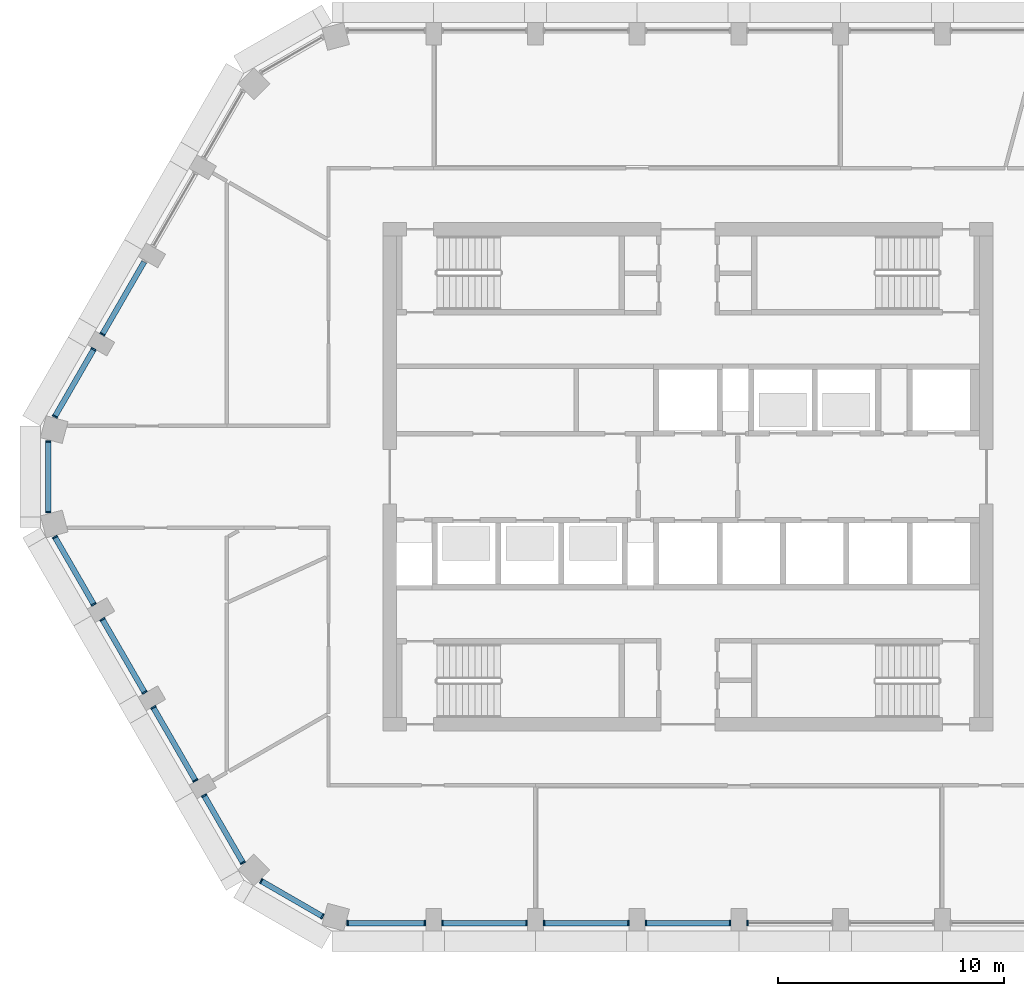
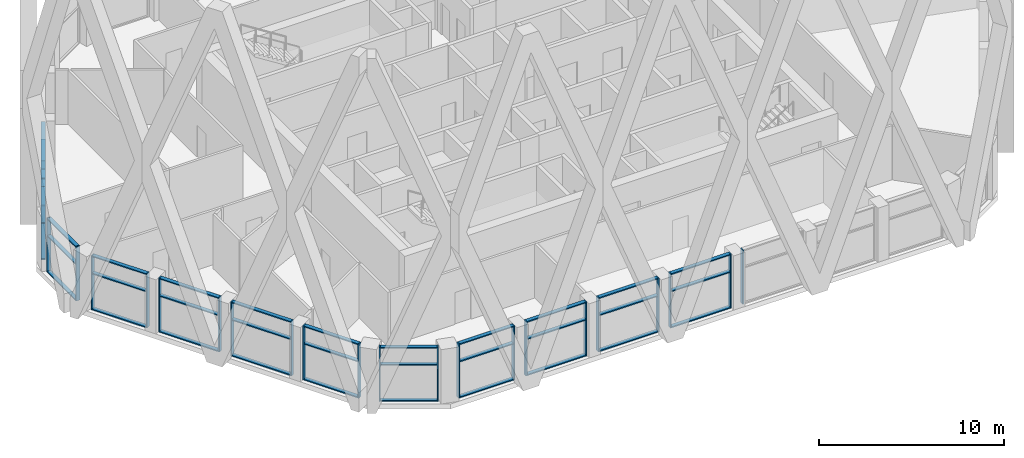
# One storey, part 2 of 20: 60 members, 13 elements without a shape of their own.
"""IFC4 building model written with IfcOpenShell, lengths in metres."""

from ifc_helpers import new_model, si_unit, direction, frame, origin, origin_2d, place, context, subcontext, project, spatial, rectangle, extrude, material, layer, layer_set, material_profile, profile_set, type_object, element, aggregate, save


model = new_model("IFC4")

# Units and contexts
model_context = context("Model", 3, precision=1e-05, world=origin(), true_north=direction((0.0, 1.0)))
body_context = subcontext(model_context, "Body", "Model", "MODEL_VIEW")
ifc_project = project(units=[si_unit("LENGTHUNIT", "METRE"), si_unit("AREAUNIT", "SQUARE_METRE"), si_unit("VOLUMEUNIT", "CUBIC_METRE"), si_unit("PLANEANGLEUNIT", "RADIAN"), si_unit("MASSUNIT", "GRAM", prefix="KILO")], contexts=[model_context])

# Site, building, storey
site_placement = place(None, origin())
site = spatial("IfcSite", under=ifc_project, at=site_placement, CompositionType="ELEMENT")
building_placement = place(site_placement, origin())
building = spatial("IfcBuilding", under=site, at=building_placement, Name="Dhurran Vertical Campus", CompositionType="ELEMENT")
storey_placement = place(building_placement, frame((0.0, 0.0, 235.199951171875)))
storey = spatial("IfcBuildingStorey", under=building, at=storey_placement, Name="L58", CompositionType="ELEMENT", Elevation=235.199951171875)

# Curtain wall, members
ifc_material_1 = material(Name="Aluminium frame with solar-control glass", Category="aluminium")
ifc_layer = layer(ifc_material_1, 0.25)
ifc_layer_set = layer_set([ifc_layer], Name="Aluminium frame with solar-control glass")
curtain_wall_type = type_object("IfcCurtainWallType", Name="Sky lobby glazing system", PredefinedType="NOTDEFINED", material=ifc_layer_set)
curtain_wall_1_placement = place(storey_placement, origin())
curtain_wall_1 = element("IfcCurtainWall", 1, at=curtain_wall_1_placement, inside=storey, type_object=curtain_wall_type, Name="CW3 L58.00", PredefinedType="NOTDEFINED")
ifc_material_2 = material(Name="Aluminium mullion", Category="aluminium")
ifc_material_profile_1 = material_profile(ifc_material_2, rectangle(XDim=0.239990234375, YDim=0.070068359375, at=origin_2d()), Name="Sky lobby glazing system mullion")
ifc_profile_set_1 = profile_set([ifc_material_profile_1], Name="Aluminium mullion")
member_type_1 = type_object("IfcMemberType", Name="Sky lobby glazing system mullion", PredefinedType="MULLION", material=ifc_profile_set_1)
member_1_placement = place(storey_placement, frame((-15.06298828125, -19.738525390625, 0.0), z_axis=(0.0, 0.0, 1.0), x_axis=(0.0, 1.0, 0.0)))
member_1 = element("IfcMember", 2, at=member_1_placement, type_object=member_type_1, Name="CW3 mullion 1", PredefinedType="MULLION", context=body_context, shape_type="SweptSolid", body=[
    extrude(rectangle(XDim=0.239990234375, YDim=0.070068359375, at=origin_2d()), origin(), (0.0, 0.0, 1.0), 3.574951171875),
])
member_2_placement = place(storey_placement, frame((-11.635498046875, -19.738525390625, 0.0), z_axis=(0.0, 0.0, 1.0), x_axis=(0.0, 1.0, 0.0)))
member_2 = element("IfcMember", 3, at=member_2_placement, type_object=member_type_1, Name="CW3 mullion 2", PredefinedType="MULLION", context=body_context, shape_type="SweptSolid", body=[
    extrude(rectangle(XDim=0.239990234375, YDim=0.070068359375, at=origin_2d()), origin(), (0.0, 0.0, 1.0), 3.574951171875),
])

curtain_wall_2_placement = place(storey_placement, origin())
curtain_wall_2 = element("IfcCurtainWall", 4, at=curtain_wall_2_placement, inside=storey, type_object=curtain_wall_type, Name="CW3 L58.01", PredefinedType="NOTDEFINED")
member_3_placement = place(storey_placement, frame((-10.864501953125, -19.738525390625, 0.0), z_axis=(0.0, 0.0, 1.0), x_axis=(0.0, 1.0, 0.0)))
member_3 = element("IfcMember", 5, at=member_3_placement, type_object=member_type_1, Name="CW3 mullion 1", PredefinedType="MULLION", context=body_context, shape_type="SweptSolid", body=[
    extrude(rectangle(XDim=0.239990234375, YDim=0.070068359375, at=origin_2d()), origin(), (0.0, 0.0, 1.0), 3.574951171875),
])
member_4_placement = place(storey_placement, frame((-7.135498046875, -19.738525390625, 0.0), z_axis=(0.0, 0.0, 1.0), x_axis=(0.0, 1.0, 0.0)))
member_4 = element("IfcMember", 6, at=member_4_placement, type_object=member_type_1, Name="CW3 mullion 2", PredefinedType="MULLION", context=body_context, shape_type="SweptSolid", body=[
    extrude(rectangle(XDim=0.239990234375, YDim=0.070068359375, at=origin_2d()), origin(), (0.0, 0.0, 1.0), 3.574951171875),
])

curtain_wall_3_placement = place(storey_placement, origin())
curtain_wall_3 = element("IfcCurtainWall", 7, at=curtain_wall_3_placement, inside=storey, type_object=curtain_wall_type, Name="CW3 L58.02", PredefinedType="NOTDEFINED")
member_5_placement = place(storey_placement, frame((-6.364501953125, -19.738525390625, 0.0), z_axis=(0.0, 0.0, 1.0), x_axis=(0.0, 1.0, 0.0)))
member_5 = element("IfcMember", 8, at=member_5_placement, type_object=member_type_1, Name="CW3 mullion 1", PredefinedType="MULLION", context=body_context, shape_type="SweptSolid", body=[
    extrude(rectangle(XDim=0.239990234375, YDim=0.070068359375, at=origin_2d()), origin(), (0.0, 0.0, 1.0), 3.574951171875),
])
member_6_placement = place(storey_placement, frame((-2.635498046875, -19.738525390625, 0.0), z_axis=(0.0, 0.0, 1.0), x_axis=(0.0, 1.0, 0.0)))
member_6 = element("IfcMember", 9, at=member_6_placement, type_object=member_type_1, Name="CW3 mullion 2", PredefinedType="MULLION", context=body_context, shape_type="SweptSolid", body=[
    extrude(rectangle(XDim=0.239990234375, YDim=0.070068359375, at=origin_2d()), origin(), (0.0, 0.0, 1.0), 3.574951171875),
])

curtain_wall_4_placement = place(storey_placement, origin())
curtain_wall_4 = element("IfcCurtainWall", 10, at=curtain_wall_4_placement, inside=storey, type_object=curtain_wall_type, Name="CW3 L58.03", PredefinedType="NOTDEFINED")
member_7_placement = place(storey_placement, frame((-1.864501953125, -19.738525390625, 0.0), z_axis=(0.0, 0.0, 1.0), x_axis=(0.0, 1.0, 0.0)))
member_7 = element("IfcMember", 11, at=member_7_placement, type_object=member_type_1, Name="CW3 mullion 1", PredefinedType="MULLION", context=body_context, shape_type="SweptSolid", body=[
    extrude(rectangle(XDim=0.239990234375, YDim=0.070068359375, at=origin_2d()), origin(), (0.0, 0.0, 1.0), 3.574951171875),
])
member_8_placement = place(storey_placement, frame((1.864501953125, -19.738525390625, 0.0), z_axis=(0.0, 0.0, 1.0), x_axis=(0.0, 1.0, 0.0)))
member_8 = element("IfcMember", 12, at=member_8_placement, type_object=member_type_1, Name="CW3 mullion 2", PredefinedType="MULLION", context=body_context, shape_type="SweptSolid", body=[
    extrude(rectangle(XDim=0.239990234375, YDim=0.070068359375, at=origin_2d()), origin(), (0.0, 0.0, 1.0), 3.574951171875),
])

# Curtain wall, member
curtain_wall_5_placement = place(storey_placement, origin())
curtain_wall_5 = element("IfcCurtainWall", 13, at=curtain_wall_5_placement, inside=storey, type_object=curtain_wall_type, Name="CW3 L58.04", PredefinedType="NOTDEFINED")
member_9_placement = place(storey_placement, frame((2.635498046875, -19.738525390625, 0.0), z_axis=(0.0, 0.0, 1.0), x_axis=(0.0, 1.0, 0.0)))
member_9 = element("IfcMember", 14, at=member_9_placement, type_object=member_type_1, Name="CW3 mullion 1", PredefinedType="MULLION", context=body_context, shape_type="SweptSolid", body=[
    extrude(rectangle(XDim=0.239990234375, YDim=0.070068359375, at=origin_2d()), origin(), (0.0, 0.0, 1.0), 3.574951171875),
])
aggregate(curtain_wall_5, [member_9])

curtain_wall_6_placement = place(storey_placement, origin())
curtain_wall_6 = element("IfcCurtainWall", 15, at=curtain_wall_6_placement, inside=storey, type_object=curtain_wall_type, Name="CW3 L58.28", PredefinedType="NOTDEFINED")
member_10_placement = place(storey_placement, frame((-25.9013671875, 6.305908203125, 0.0), z_axis=(0.0, 0.0, 1.0), x_axis=(0.866023396064, -0.500003477457, 0.0)))
member_10 = element("IfcMember", 16, at=member_10_placement, type_object=member_type_1, Name="CW3 mullion 2", PredefinedType="MULLION", context=body_context, shape_type="SweptSolid", body=[
    extrude(rectangle(XDim=0.239990234375, YDim=0.070068359375, at=origin_2d()), origin(), (0.0, 0.0, 1.0), 3.574951171875),
])

# Curtain wall, members
curtain_wall_7_placement = place(storey_placement, origin())
curtain_wall_7 = element("IfcCurtainWall", 17, at=curtain_wall_7_placement, inside=storey, type_object=curtain_wall_type, Name="CW3 L58.29", PredefinedType="NOTDEFINED")
member_11_placement = place(storey_placement, frame((-26.286865234375, 5.63818359375, 0.0), z_axis=(0.0, 0.0, 1.0), x_axis=(0.866024656678, -0.500001294024, 0.0)))
member_11 = element("IfcMember", 18, at=member_11_placement, type_object=member_type_1, Name="CW3 mullion 1", PredefinedType="MULLION", context=body_context, shape_type="SweptSolid", body=[
    extrude(rectangle(XDim=0.239990234375, YDim=0.070068359375, at=origin_2d()), origin(), (0.0, 0.0, 1.0), 3.574951171875),
])
member_12_placement = place(storey_placement, frame((-28.00048828125, 2.669921875, 0.0), z_axis=(0.0, 0.0, 1.0), x_axis=(0.866024656678, -0.500001294024, 0.0)))
member_12 = element("IfcMember", 19, at=member_12_placement, type_object=member_type_1, Name="CW3 mullion 2", PredefinedType="MULLION", context=body_context, shape_type="SweptSolid", body=[
    extrude(rectangle(XDim=0.239990234375, YDim=0.070068359375, at=origin_2d()), origin(), (0.0, 0.0, 1.0), 3.574951171875),
])

curtain_wall_8_placement = place(storey_placement, origin())
curtain_wall_8 = element("IfcCurtainWall", 20, at=curtain_wall_8_placement, inside=storey, type_object=curtain_wall_type, Name="CW3 L58.30", PredefinedType="NOTDEFINED")
member_13_placement = place(storey_placement, frame((-28.297119140625, 1.56298828125, 0.0), z_axis=(0.0, 0.0, 1.0), x_axis=(1.0, 0.0, 0.0)))
member_13 = element("IfcMember", 21, at=member_13_placement, type_object=member_type_1, Name="CW3 mullion 1", PredefinedType="MULLION", context=body_context, shape_type="SweptSolid", body=[
    extrude(rectangle(XDim=0.239990234375, YDim=0.070068359375, at=origin_2d()), origin(), (0.0, 0.0, 1.0), 3.574951171875),
])
member_14_placement = place(storey_placement, frame((-28.297119140625, -1.56298828125, 0.0), z_axis=(0.0, 0.0, 1.0), x_axis=(1.0, 0.0, 0.0)))
member_14 = element("IfcMember", 22, at=member_14_placement, type_object=member_type_1, Name="CW3 mullion 2", PredefinedType="MULLION", context=body_context, shape_type="SweptSolid", body=[
    extrude(rectangle(XDim=0.239990234375, YDim=0.070068359375, at=origin_2d()), origin(), (0.0, 0.0, 1.0), 3.574951171875),
])

curtain_wall_9_placement = place(storey_placement, origin())
curtain_wall_9 = element("IfcCurtainWall", 23, at=curtain_wall_9_placement, inside=storey, type_object=curtain_wall_type, Name="CW3 L58.31", PredefinedType="NOTDEFINED")
member_15_placement = place(storey_placement, frame((-28.00048828125, -2.669921875, 0.0), z_axis=(0.0, 0.0, 1.0), x_axis=(0.866024656678, 0.500001294024, 0.0)))
member_15 = element("IfcMember", 24, at=member_15_placement, type_object=member_type_1, Name="CW3 mullion 1", PredefinedType="MULLION", context=body_context, shape_type="SweptSolid", body=[
    extrude(rectangle(XDim=0.239990234375, YDim=0.070068359375, at=origin_2d()), origin(), (0.0, 0.0, 1.0), 3.574951171875),
])
member_16_placement = place(storey_placement, frame((-26.286865234375, -5.63818359375, 0.0), z_axis=(0.0, 0.0, 1.0), x_axis=(0.866024656678, 0.500001294024, 0.0)))
member_16 = element("IfcMember", 25, at=member_16_placement, type_object=member_type_1, Name="CW3 mullion 2", PredefinedType="MULLION", context=body_context, shape_type="SweptSolid", body=[
    extrude(rectangle(XDim=0.239990234375, YDim=0.070068359375, at=origin_2d()), origin(), (0.0, 0.0, 1.0), 3.574951171875),
])

curtain_wall_10_placement = place(storey_placement, origin())
curtain_wall_10 = element("IfcCurtainWall", 26, at=curtain_wall_10_placement, inside=storey, type_object=curtain_wall_type, Name="CW3 L58.32", PredefinedType="NOTDEFINED")
member_17_placement = place(storey_placement, frame((-25.9013671875, -6.305908203125, 0.0), z_axis=(0.0, 0.0, 1.0), x_axis=(0.866023396064, 0.500003477457, 0.0)))
member_17 = element("IfcMember", 27, at=member_17_placement, type_object=member_type_1, Name="CW3 mullion 1", PredefinedType="MULLION", context=body_context, shape_type="SweptSolid", body=[
    extrude(rectangle(XDim=0.239990234375, YDim=0.070068359375, at=origin_2d()), origin(), (0.0, 0.0, 1.0), 3.574951171875),
])
member_18_placement = place(storey_placement, frame((-24.036865234375, -9.535400390625, 0.0), z_axis=(0.0, 0.0, 1.0), x_axis=(0.866023396064, 0.500003477457, 0.0)))
member_18 = element("IfcMember", 28, at=member_18_placement, type_object=member_type_1, Name="CW3 mullion 2", PredefinedType="MULLION", context=body_context, shape_type="SweptSolid", body=[
    extrude(rectangle(XDim=0.239990234375, YDim=0.070068359375, at=origin_2d()), origin(), (0.0, 0.0, 1.0), 3.574951171875),
])

curtain_wall_11_placement = place(storey_placement, origin())
curtain_wall_11 = element("IfcCurtainWall", 29, at=curtain_wall_11_placement, inside=storey, type_object=curtain_wall_type, Name="CW3 L58.33", PredefinedType="NOTDEFINED")
member_19_placement = place(storey_placement, frame((-23.6513671875, -10.203125, 0.0), z_axis=(0.0, 0.0, 1.0), x_axis=(0.866023396064, 0.500003477457, 0.0)))
member_19 = element("IfcMember", 30, at=member_19_placement, type_object=member_type_1, Name="CW3 mullion 1", PredefinedType="MULLION", context=body_context, shape_type="SweptSolid", body=[
    extrude(rectangle(XDim=0.239990234375, YDim=0.070068359375, at=origin_2d()), origin(), (0.0, 0.0, 1.0), 3.574951171875),
])
member_20_placement = place(storey_placement, frame((-21.786865234375, -13.432373046875, 0.0), z_axis=(0.0, 0.0, 1.0), x_axis=(0.866023396064, 0.500003477457, 0.0)))
member_20 = element("IfcMember", 31, at=member_20_placement, type_object=member_type_1, Name="CW3 mullion 2", PredefinedType="MULLION", context=body_context, shape_type="SweptSolid", body=[
    extrude(rectangle(XDim=0.239990234375, YDim=0.070068359375, at=origin_2d()), origin(), (0.0, 0.0, 1.0), 3.574951171875),
])

curtain_wall_12_placement = place(storey_placement, origin())
curtain_wall_12 = element("IfcCurtainWall", 32, at=curtain_wall_12_placement, inside=storey, type_object=curtain_wall_type, Name="CW3 L58.34", PredefinedType="NOTDEFINED")
member_21_placement = place(storey_placement, frame((-21.4013671875, -14.10009765625, 0.0), z_axis=(0.0, 0.0, 1.0), x_axis=(0.866019424312, 0.500010356607, 0.0)))
member_21 = element("IfcMember", 33, at=member_21_placement, type_object=member_type_1, Name="CW3 mullion 1", PredefinedType="MULLION", context=body_context, shape_type="SweptSolid", body=[
    extrude(rectangle(XDim=0.239990234375, YDim=0.070068359375, at=origin_2d()), origin(), (0.0, 0.0, 1.0), 3.574951171875),
])
member_22_placement = place(storey_placement, frame((-19.6875, -17.068603515625, 0.0), z_axis=(0.0, 0.0, 1.0), x_axis=(0.866019424312, 0.500010356607, 0.0)))
member_22 = element("IfcMember", 34, at=member_22_placement, type_object=member_type_1, Name="CW3 mullion 2", PredefinedType="MULLION", context=body_context, shape_type="SweptSolid", body=[
    extrude(rectangle(XDim=0.239990234375, YDim=0.070068359375, at=origin_2d()), origin(), (0.0, 0.0, 1.0), 3.574951171875),
])

curtain_wall_13_placement = place(storey_placement, origin())
curtain_wall_13 = element("IfcCurtainWall", 35, at=curtain_wall_13_placement, inside=storey, type_object=curtain_wall_type, Name="CW3 L58.35", PredefinedType="NOTDEFINED")
member_23_placement = place(storey_placement, frame((-18.877197265625, -17.87890625, 0.0), z_axis=(0.0, 0.0, 1.0), x_axis=(0.499998698825, 0.866026155017, 0.0)))
member_23 = element("IfcMember", 36, at=member_23_placement, type_object=member_type_1, Name="CW3 mullion 1", PredefinedType="MULLION", context=body_context, shape_type="SweptSolid", body=[
    extrude(rectangle(XDim=0.239990234375, YDim=0.070068359375, at=origin_2d()), origin(), (0.0, 0.0, 1.0), 3.574951171875),
])
member_24_placement = place(storey_placement, frame((-16.169921875, -19.44189453125, 0.0), z_axis=(0.0, 0.0, 1.0), x_axis=(0.499998698825, 0.866026155017, 0.0)))
member_24 = element("IfcMember", 37, at=member_24_placement, type_object=member_type_1, Name="CW3 mullion 2", PredefinedType="MULLION", context=body_context, shape_type="SweptSolid", body=[
    extrude(rectangle(XDim=0.239990234375, YDim=0.070068359375, at=origin_2d()), origin(), (0.0, 0.0, 1.0), 3.574951171875),
])

# Member
ifc_material_3 = material(Name="Aluminium transom", Category="aluminium")
ifc_material_profile_2 = material_profile(ifc_material_3, rectangle(XDim=0.239990234375, YDim=0.070068359375, at=origin_2d()), Name="Sky lobby glazing system transom")
ifc_profile_set_2 = profile_set([ifc_material_profile_2], Name="Aluminium transom")
member_type_2 = type_object("IfcMemberType", Name="Sky lobby glazing system transom", PredefinedType="USERDEFINED", material=ifc_profile_set_2)
member_25_placement = place(storey_placement, frame((-15.028076171875, -19.738525390625, 0.03515625), z_axis=(1.0, 0.0, 0.0), x_axis=(0.0, 1.0, 0.0)))
member_25 = element("IfcMember", 38, at=member_25_placement, type_object=member_type_2, Name="CW3 transom 1.1", ObjectType="TRANSOM", PredefinedType="USERDEFINED", context=body_context, shape_type="SweptSolid", body=[
    extrude(rectangle(XDim=0.239990234375, YDim=0.070068359375, at=origin_2d()), origin(), (0.0, 0.0, 1.0), 3.357666015625),
])

member_26_placement = place(storey_placement, frame((-15.028076171875, -19.738525390625, 2.400146484375), z_axis=(1.0, 0.0, 0.0), x_axis=(0.0, 1.0, 0.0)))
member_26 = element("IfcMember", 39, at=member_26_placement, type_object=member_type_2, Name="CW3 transom 1.2", ObjectType="TRANSOM", PredefinedType="USERDEFINED", context=body_context, shape_type="SweptSolid", body=[
    extrude(rectangle(XDim=0.239990234375, YDim=0.070068359375, at=origin_2d()), origin(), (0.0, 0.0, 1.0), 3.357666015625),
])

member_27_placement = place(storey_placement, frame((-15.028076171875, -19.738525390625, 3.5400390625), z_axis=(1.0, 0.0, 0.0), x_axis=(0.0, 1.0, 0.0)))
member_27 = element("IfcMember", 40, at=member_27_placement, type_object=member_type_2, Name="CW3 transom 1.3", ObjectType="TRANSOM", PredefinedType="USERDEFINED", context=body_context, shape_type="SweptSolid", body=[
    extrude(rectangle(XDim=0.239990234375, YDim=0.070068359375, at=origin_2d()), origin(), (0.0, 0.0, 1.0), 3.357666015625),
])

aggregate(curtain_wall_1, [member_1, member_2, member_25, member_26, member_27])

member_28_placement = place(storey_placement, frame((-10.82958984375, -19.738525390625, 0.03515625), z_axis=(1.0, 0.0, 0.0), x_axis=(0.0, 1.0, 0.0)))
member_28 = element("IfcMember", 41, at=member_28_placement, type_object=member_type_2, Name="CW3 transom 1.1", ObjectType="TRANSOM", PredefinedType="USERDEFINED", context=body_context, shape_type="SweptSolid", body=[
    extrude(rectangle(XDim=0.239990234375, YDim=0.070068359375, at=origin_2d()), origin(), (0.0, 0.0, 1.0), 3.6591796875),
])

member_29_placement = place(storey_placement, frame((-10.82958984375, -19.738525390625, 2.400146484375), z_axis=(1.0, 0.0, 0.0), x_axis=(0.0, 1.0, 0.0)))
member_29 = element("IfcMember", 42, at=member_29_placement, type_object=member_type_2, Name="CW3 transom 1.2", ObjectType="TRANSOM", PredefinedType="USERDEFINED", context=body_context, shape_type="SweptSolid", body=[
    extrude(rectangle(XDim=0.239990234375, YDim=0.070068359375, at=origin_2d()), origin(), (0.0, 0.0, 1.0), 3.6591796875),
])

member_30_placement = place(storey_placement, frame((-10.82958984375, -19.738525390625, 3.5400390625), z_axis=(1.0, 0.0, 0.0), x_axis=(0.0, 1.0, 0.0)))
member_30 = element("IfcMember", 43, at=member_30_placement, type_object=member_type_2, Name="CW3 transom 1.3", ObjectType="TRANSOM", PredefinedType="USERDEFINED", context=body_context, shape_type="SweptSolid", body=[
    extrude(rectangle(XDim=0.239990234375, YDim=0.070068359375, at=origin_2d()), origin(), (0.0, 0.0, 1.0), 3.6591796875),
])

aggregate(curtain_wall_2, [member_3, member_4, member_28, member_29, member_30])

member_31_placement = place(storey_placement, frame((-6.32958984375, -19.738525390625, 0.03515625), z_axis=(1.0, 0.0, 0.0), x_axis=(0.0, 1.0, 0.0)))
member_31 = element("IfcMember", 44, at=member_31_placement, type_object=member_type_2, Name="CW3 transom 1.1", ObjectType="TRANSOM", PredefinedType="USERDEFINED", context=body_context, shape_type="SweptSolid", body=[
    extrude(rectangle(XDim=0.239990234375, YDim=0.070068359375, at=origin_2d()), origin(), (0.0, 0.0, 1.0), 3.6591796875),
])

member_32_placement = place(storey_placement, frame((-6.32958984375, -19.738525390625, 2.400146484375), z_axis=(1.0, 0.0, 0.0), x_axis=(0.0, 1.0, 0.0)))
member_32 = element("IfcMember", 45, at=member_32_placement, type_object=member_type_2, Name="CW3 transom 1.2", ObjectType="TRANSOM", PredefinedType="USERDEFINED", context=body_context, shape_type="SweptSolid", body=[
    extrude(rectangle(XDim=0.239990234375, YDim=0.070068359375, at=origin_2d()), origin(), (0.0, 0.0, 1.0), 3.6591796875),
])

member_33_placement = place(storey_placement, frame((-6.32958984375, -19.738525390625, 3.5400390625), z_axis=(1.0, 0.0, 0.0), x_axis=(0.0, 1.0, 0.0)))
member_33 = element("IfcMember", 46, at=member_33_placement, type_object=member_type_2, Name="CW3 transom 1.3", ObjectType="TRANSOM", PredefinedType="USERDEFINED", context=body_context, shape_type="SweptSolid", body=[
    extrude(rectangle(XDim=0.239990234375, YDim=0.070068359375, at=origin_2d()), origin(), (0.0, 0.0, 1.0), 3.6591796875),
])

aggregate(curtain_wall_3, [member_5, member_6, member_31, member_32, member_33])

member_34_placement = place(storey_placement, frame((-1.82958984375, -19.738525390625, 0.03515625), z_axis=(1.0, 0.0, 0.0), x_axis=(0.0, 1.0, 0.0)))
member_34 = element("IfcMember", 47, at=member_34_placement, type_object=member_type_2, Name="CW3 transom 1.1", ObjectType="TRANSOM", PredefinedType="USERDEFINED", context=body_context, shape_type="SweptSolid", body=[
    extrude(rectangle(XDim=0.239990234375, YDim=0.070068359375, at=origin_2d()), origin(), (0.0, 0.0, 1.0), 3.6591796875),
])

member_35_placement = place(storey_placement, frame((-1.82958984375, -19.738525390625, 2.400146484375), z_axis=(1.0, 0.0, 0.0), x_axis=(0.0, 1.0, 0.0)))
member_35 = element("IfcMember", 48, at=member_35_placement, type_object=member_type_2, Name="CW3 transom 1.2", ObjectType="TRANSOM", PredefinedType="USERDEFINED", context=body_context, shape_type="SweptSolid", body=[
    extrude(rectangle(XDim=0.239990234375, YDim=0.070068359375, at=origin_2d()), origin(), (0.0, 0.0, 1.0), 3.6591796875),
])

member_36_placement = place(storey_placement, frame((-1.82958984375, -19.738525390625, 3.5400390625), z_axis=(1.0, 0.0, 0.0), x_axis=(0.0, 1.0, 0.0)))
member_36 = element("IfcMember", 49, at=member_36_placement, type_object=member_type_2, Name="CW3 transom 1.3", ObjectType="TRANSOM", PredefinedType="USERDEFINED", context=body_context, shape_type="SweptSolid", body=[
    extrude(rectangle(XDim=0.239990234375, YDim=0.070068359375, at=origin_2d()), origin(), (0.0, 0.0, 1.0), 3.6591796875),
])

aggregate(curtain_wall_4, [member_7, member_8, member_34, member_35, member_36])

member_37_placement = place(storey_placement, frame((-24.05419921875, 9.505126953125, 0.03515625), z_axis=(-0.500028567022, -0.866008909978, 0.0), x_axis=(0.866008909978, -0.500028567022, 0.0)))
member_37 = element("IfcMember", 50, at=member_37_placement, type_object=member_type_2, Name="CW3 transom 1.1", ObjectType="TRANSOM", PredefinedType="USERDEFINED", context=body_context, shape_type="SweptSolid", body=[
    extrude(rectangle(XDim=0.239990234375, YDim=0.070068359375, at=origin_2d()), origin(), (0.0, 0.0, 1.0), 3.658935546875),
])

member_38_placement = place(storey_placement, frame((-24.05419921875, 9.505126953125, 2.400146484375), z_axis=(-0.500028567022, -0.866008909978, 0.0), x_axis=(0.866008909978, -0.500028567022, 0.0)))
member_38 = element("IfcMember", 51, at=member_38_placement, type_object=member_type_2, Name="CW3 transom 1.2", ObjectType="TRANSOM", PredefinedType="USERDEFINED", context=body_context, shape_type="SweptSolid", body=[
    extrude(rectangle(XDim=0.239990234375, YDim=0.070068359375, at=origin_2d()), origin(), (0.0, 0.0, 1.0), 3.658935546875),
])

member_39_placement = place(storey_placement, frame((-24.05419921875, 9.505126953125, 3.5400390625), z_axis=(-0.500028567022, -0.866008909978, 0.0), x_axis=(0.866008909978, -0.500028567022, 0.0)))
member_39 = element("IfcMember", 52, at=member_39_placement, type_object=member_type_2, Name="CW3 transom 1.3", ObjectType="TRANSOM", PredefinedType="USERDEFINED", context=body_context, shape_type="SweptSolid", body=[
    extrude(rectangle(XDim=0.239990234375, YDim=0.070068359375, at=origin_2d()), origin(), (0.0, 0.0, 1.0), 3.658935546875),
])

aggregate(curtain_wall_6, [member_10, member_37, member_38, member_39])

member_40_placement = place(storey_placement, frame((-26.30419921875, 5.60791015625, 0.03515625), z_axis=(-0.500041352309, -0.866001527701, 0.0), x_axis=(0.866001527701, -0.500041352309, 0.0)))
member_40 = element("IfcMember", 53, at=member_40_placement, type_object=member_type_2, Name="CW3 transom 1.1", ObjectType="TRANSOM", PredefinedType="USERDEFINED", context=body_context, shape_type="SweptSolid", body=[
    extrude(rectangle(XDim=0.239990234375, YDim=0.070068359375, at=origin_2d()), origin(), (0.0, 0.0, 1.0), 3.357666015625),
])

member_41_placement = place(storey_placement, frame((-26.30419921875, 5.60791015625, 2.400146484375), z_axis=(-0.500041352309, -0.866001527701, 0.0), x_axis=(0.866001527701, -0.500041352309, 0.0)))
member_41 = element("IfcMember", 54, at=member_41_placement, type_object=member_type_2, Name="CW3 transom 1.2", ObjectType="TRANSOM", PredefinedType="USERDEFINED", context=body_context, shape_type="SweptSolid", body=[
    extrude(rectangle(XDim=0.239990234375, YDim=0.070068359375, at=origin_2d()), origin(), (0.0, 0.0, 1.0), 3.357666015625),
])

member_42_placement = place(storey_placement, frame((-26.30419921875, 5.60791015625, 3.5400390625), z_axis=(-0.500041352309, -0.866001527701, 0.0), x_axis=(0.866001527701, -0.500041352309, 0.0)))
member_42 = element("IfcMember", 55, at=member_42_placement, type_object=member_type_2, Name="CW3 transom 1.3", ObjectType="TRANSOM", PredefinedType="USERDEFINED", context=body_context, shape_type="SweptSolid", body=[
    extrude(rectangle(XDim=0.239990234375, YDim=0.070068359375, at=origin_2d()), origin(), (0.0, 0.0, 1.0), 3.357666015625),
])

aggregate(curtain_wall_7, [member_11, member_12, member_40, member_41, member_42])

member_43_placement = place(storey_placement, frame((-28.297119140625, 1.528076171875, 0.03515625), z_axis=(0.0, -1.0, 0.0), x_axis=(1.0, 0.0, 0.0)))
member_43 = element("IfcMember", 56, at=member_43_placement, type_object=member_type_2, Name="CW3 transom 1.1", ObjectType="TRANSOM", PredefinedType="USERDEFINED", context=body_context, shape_type="SweptSolid", body=[
    extrude(rectangle(XDim=0.239990234375, YDim=0.070068359375, at=origin_2d()), origin(), (0.0, 0.0, 1.0), 3.05615234375),
])

member_44_placement = place(storey_placement, frame((-28.297119140625, 1.528076171875, 2.400146484375), z_axis=(0.0, -1.0, 0.0), x_axis=(1.0, 0.0, 0.0)))
member_44 = element("IfcMember", 57, at=member_44_placement, type_object=member_type_2, Name="CW3 transom 1.2", ObjectType="TRANSOM", PredefinedType="USERDEFINED", context=body_context, shape_type="SweptSolid", body=[
    extrude(rectangle(XDim=0.239990234375, YDim=0.070068359375, at=origin_2d()), origin(), (0.0, 0.0, 1.0), 3.05615234375),
])

member_45_placement = place(storey_placement, frame((-28.297119140625, 1.528076171875, 3.5400390625), z_axis=(0.0, -1.0, 0.0), x_axis=(1.0, 0.0, 0.0)))
member_45 = element("IfcMember", 58, at=member_45_placement, type_object=member_type_2, Name="CW3 transom 1.3", ObjectType="TRANSOM", PredefinedType="USERDEFINED", context=body_context, shape_type="SweptSolid", body=[
    extrude(rectangle(XDim=0.239990234375, YDim=0.070068359375, at=origin_2d()), origin(), (0.0, 0.0, 1.0), 3.05615234375),
])

aggregate(curtain_wall_8, [member_13, member_14, member_43, member_44, member_45])

member_46_placement = place(storey_placement, frame((-27.983154296875, -2.7001953125, 0.03515625), z_axis=(0.500041352309, -0.866001527701, 0.0), x_axis=(0.866001527701, 0.500041352309, 0.0)))
member_46 = element("IfcMember", 59, at=member_46_placement, type_object=member_type_2, Name="CW3 transom 1.1", ObjectType="TRANSOM", PredefinedType="USERDEFINED", context=body_context, shape_type="SweptSolid", body=[
    extrude(rectangle(XDim=0.239990234375, YDim=0.070068359375, at=origin_2d()), origin(), (0.0, 0.0, 1.0), 3.357666015625),
])

member_47_placement = place(storey_placement, frame((-27.983154296875, -2.7001953125, 2.400146484375), z_axis=(0.500041352309, -0.866001527701, 0.0), x_axis=(0.866001527701, 0.500041352309, 0.0)))
member_47 = element("IfcMember", 60, at=member_47_placement, type_object=member_type_2, Name="CW3 transom 1.2", ObjectType="TRANSOM", PredefinedType="USERDEFINED", context=body_context, shape_type="SweptSolid", body=[
    extrude(rectangle(XDim=0.239990234375, YDim=0.070068359375, at=origin_2d()), origin(), (0.0, 0.0, 1.0), 3.357666015625),
])

member_48_placement = place(storey_placement, frame((-27.983154296875, -2.7001953125, 3.5400390625), z_axis=(0.500041352309, -0.866001527701, 0.0), x_axis=(0.866001527701, 0.500041352309, 0.0)))
member_48 = element("IfcMember", 61, at=member_48_placement, type_object=member_type_2, Name="CW3 transom 1.3", ObjectType="TRANSOM", PredefinedType="USERDEFINED", context=body_context, shape_type="SweptSolid", body=[
    extrude(rectangle(XDim=0.239990234375, YDim=0.070068359375, at=origin_2d()), origin(), (0.0, 0.0, 1.0), 3.357666015625),
])

aggregate(curtain_wall_9, [member_15, member_16, member_46, member_47, member_48])

member_49_placement = place(storey_placement, frame((-25.8837890625, -6.33642578125, 0.03515625), z_axis=(0.500028567022, -0.866008909978, 0.0), x_axis=(0.866008909978, 0.500028567022, 0.0)))
member_49 = element("IfcMember", 62, at=member_49_placement, type_object=member_type_2, Name="CW3 transom 1.1", ObjectType="TRANSOM", PredefinedType="USERDEFINED", context=body_context, shape_type="SweptSolid", body=[
    extrude(rectangle(XDim=0.239990234375, YDim=0.070068359375, at=origin_2d()), origin(), (0.0, 0.0, 1.0), 3.658935546875),
])

member_50_placement = place(storey_placement, frame((-25.8837890625, -6.33642578125, 2.400146484375), z_axis=(0.500028567022, -0.866008909978, 0.0), x_axis=(0.866008909978, 0.500028567022, 0.0)))
member_50 = element("IfcMember", 63, at=member_50_placement, type_object=member_type_2, Name="CW3 transom 1.2", ObjectType="TRANSOM", PredefinedType="USERDEFINED", context=body_context, shape_type="SweptSolid", body=[
    extrude(rectangle(XDim=0.239990234375, YDim=0.070068359375, at=origin_2d()), origin(), (0.0, 0.0, 1.0), 3.658935546875),
])

member_51_placement = place(storey_placement, frame((-25.8837890625, -6.33642578125, 3.5400390625), z_axis=(0.500028567022, -0.866008909978, 0.0), x_axis=(0.866008909978, 0.500028567022, 0.0)))
member_51 = element("IfcMember", 64, at=member_51_placement, type_object=member_type_2, Name="CW3 transom 1.3", ObjectType="TRANSOM", PredefinedType="USERDEFINED", context=body_context, shape_type="SweptSolid", body=[
    extrude(rectangle(XDim=0.239990234375, YDim=0.070068359375, at=origin_2d()), origin(), (0.0, 0.0, 1.0), 3.658935546875),
])

aggregate(curtain_wall_10, [member_17, member_18, member_49, member_50, member_51])

member_52_placement = place(storey_placement, frame((-23.6337890625, -10.2333984375, 0.03515625), z_axis=(0.500028567022, -0.866008909978, 0.0), x_axis=(0.866008909978, 0.500028567022, 0.0)))
member_52 = element("IfcMember", 65, at=member_52_placement, type_object=member_type_2, Name="CW3 transom 1.1", ObjectType="TRANSOM", PredefinedType="USERDEFINED", context=body_context, shape_type="SweptSolid", body=[
    extrude(rectangle(XDim=0.239990234375, YDim=0.070068359375, at=origin_2d()), origin(), (0.0, 0.0, 1.0), 3.658935546875),
])

member_53_placement = place(storey_placement, frame((-23.6337890625, -10.2333984375, 2.400146484375), z_axis=(0.500028567022, -0.866008909978, 0.0), x_axis=(0.866008909978, 0.500028567022, 0.0)))
member_53 = element("IfcMember", 66, at=member_53_placement, type_object=member_type_2, Name="CW3 transom 1.2", ObjectType="TRANSOM", PredefinedType="USERDEFINED", context=body_context, shape_type="SweptSolid", body=[
    extrude(rectangle(XDim=0.239990234375, YDim=0.070068359375, at=origin_2d()), origin(), (0.0, 0.0, 1.0), 3.658935546875),
])

member_54_placement = place(storey_placement, frame((-23.6337890625, -10.2333984375, 3.5400390625), z_axis=(0.500028567022, -0.866008909978, 0.0), x_axis=(0.866008909978, 0.500028567022, 0.0)))
member_54 = element("IfcMember", 67, at=member_54_placement, type_object=member_type_2, Name="CW3 transom 1.3", ObjectType="TRANSOM", PredefinedType="USERDEFINED", context=body_context, shape_type="SweptSolid", body=[
    extrude(rectangle(XDim=0.239990234375, YDim=0.070068359375, at=origin_2d()), origin(), (0.0, 0.0, 1.0), 3.658935546875),
])

aggregate(curtain_wall_11, [member_19, member_20, member_52, member_53, member_54])

member_55_placement = place(storey_placement, frame((-21.3837890625, -14.130615234375, 0.03515625), z_axis=(0.500041352309, -0.866001527701, 0.0), x_axis=(0.866001527701, 0.500041352309, 0.0)))
member_55 = element("IfcMember", 68, at=member_55_placement, type_object=member_type_2, Name="CW3 transom 1.1", ObjectType="TRANSOM", PredefinedType="USERDEFINED", context=body_context, shape_type="SweptSolid", body=[
    extrude(rectangle(XDim=0.239990234375, YDim=0.070068359375, at=origin_2d()), origin(), (0.0, 0.0, 1.0), 3.357666015625),
])

member_56_placement = place(storey_placement, frame((-21.3837890625, -14.130615234375, 2.400146484375), z_axis=(0.500041352309, -0.866001527701, 0.0), x_axis=(0.866001527701, 0.500041352309, 0.0)))
member_56 = element("IfcMember", 69, at=member_56_placement, type_object=member_type_2, Name="CW3 transom 1.2", ObjectType="TRANSOM", PredefinedType="USERDEFINED", context=body_context, shape_type="SweptSolid", body=[
    extrude(rectangle(XDim=0.239990234375, YDim=0.070068359375, at=origin_2d()), origin(), (0.0, 0.0, 1.0), 3.357666015625),
])

member_57_placement = place(storey_placement, frame((-21.3837890625, -14.130615234375, 3.5400390625), z_axis=(0.500041352309, -0.866001527701, 0.0), x_axis=(0.866001527701, 0.500041352309, 0.0)))
member_57 = element("IfcMember", 70, at=member_57_placement, type_object=member_type_2, Name="CW3 transom 1.3", ObjectType="TRANSOM", PredefinedType="USERDEFINED", context=body_context, shape_type="SweptSolid", body=[
    extrude(rectangle(XDim=0.239990234375, YDim=0.070068359375, at=origin_2d()), origin(), (0.0, 0.0, 1.0), 3.357666015625),
])

aggregate(curtain_wall_12, [member_21, member_22, member_55, member_56, member_57])

member_58_placement = place(storey_placement, frame((-18.846923828125, -17.896240234375, 0.03515625), z_axis=(0.866027280971, -0.499996748603, 0.0), x_axis=(0.499996748603, 0.866027280971, 0.0)))
member_58 = element("IfcMember", 71, at=member_58_placement, type_object=member_type_2, Name="CW3 transom 1.1", ObjectType="TRANSOM", PredefinedType="USERDEFINED", context=body_context, shape_type="SweptSolid", body=[
    extrude(rectangle(XDim=0.239990234375, YDim=0.070068359375, at=origin_2d()), origin(), (0.0, 0.0, 1.0), 3.05615234375),
])

member_59_placement = place(storey_placement, frame((-18.846923828125, -17.896240234375, 2.400146484375), z_axis=(0.866027280971, -0.499996748603, 0.0), x_axis=(0.499996748603, 0.866027280971, 0.0)))
member_59 = element("IfcMember", 72, at=member_59_placement, type_object=member_type_2, Name="CW3 transom 1.2", ObjectType="TRANSOM", PredefinedType="USERDEFINED", context=body_context, shape_type="SweptSolid", body=[
    extrude(rectangle(XDim=0.239990234375, YDim=0.070068359375, at=origin_2d()), origin(), (0.0, 0.0, 1.0), 3.05615234375),
])

member_60_placement = place(storey_placement, frame((-18.846923828125, -17.896240234375, 3.5400390625), z_axis=(0.866027280971, -0.499996748603, 0.0), x_axis=(0.499996748603, 0.866027280971, 0.0)))
member_60 = element("IfcMember", 73, at=member_60_placement, type_object=member_type_2, Name="CW3 transom 1.3", ObjectType="TRANSOM", PredefinedType="USERDEFINED", context=body_context, shape_type="SweptSolid", body=[
    extrude(rectangle(XDim=0.239990234375, YDim=0.070068359375, at=origin_2d()), origin(), (0.0, 0.0, 1.0), 3.05615234375),
])

aggregate(curtain_wall_13, [member_23, member_24, member_58, member_59, member_60])

save(model, "model.ifc")
